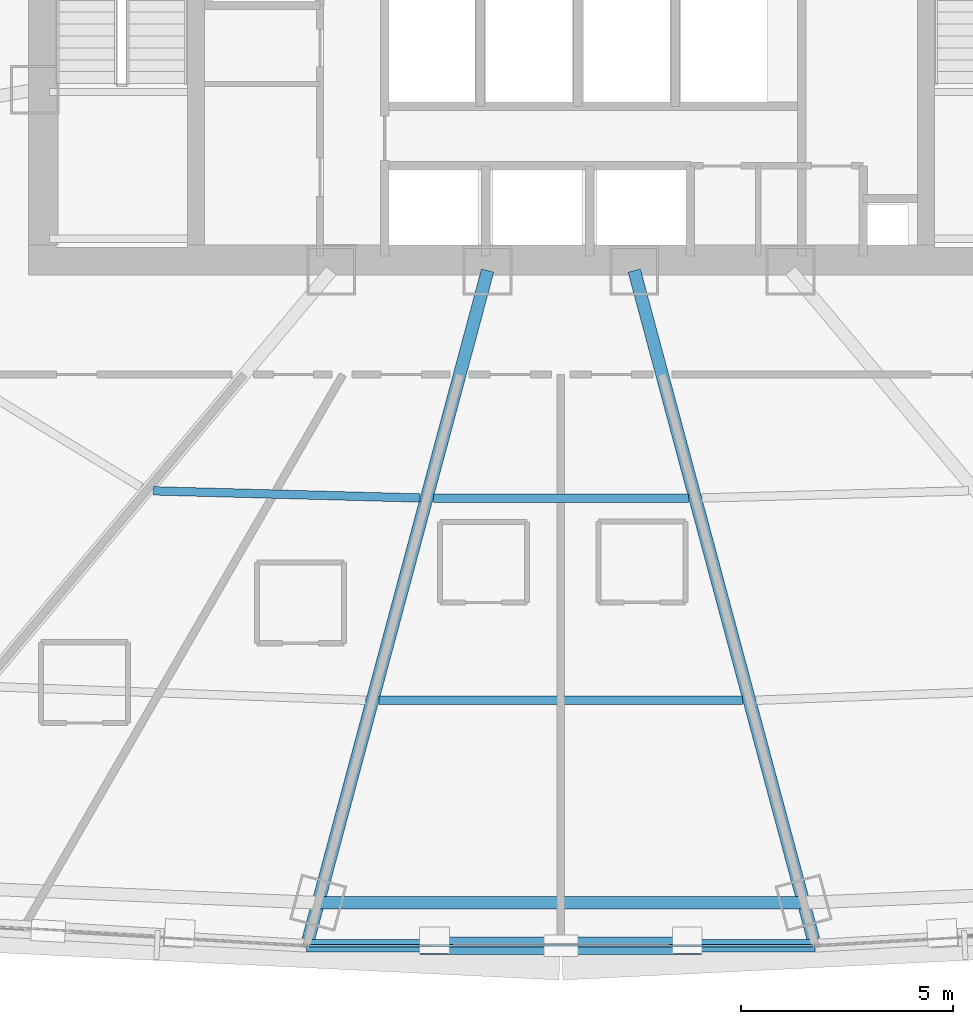
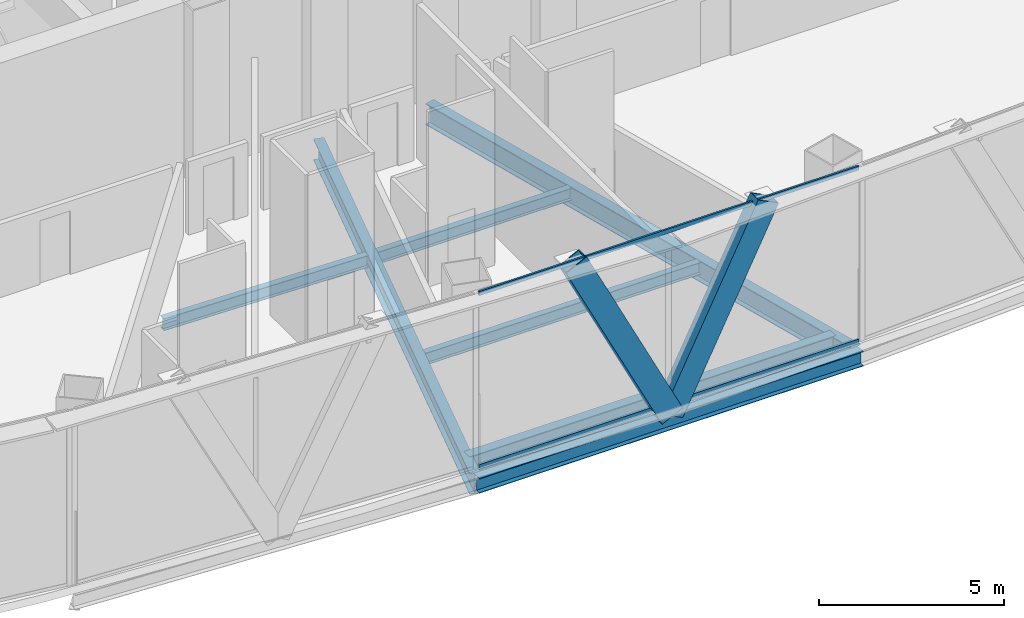
# One storey, part 9 of 41: 7 beams, 4 members, 1 element without a shape of its own.
"""IFC4 building model written with IfcOpenShell, lengths in metres."""

from ifc_helpers import new_model, si_unit, direction, frame, origin, origin_2d, place, context, subcontext, project, spatial, hollow_rectangle, i_section, extrude, source, transform, mapped, material, layer, layer_set, material_profile, profile_set, type_object, element, aggregate, save


model = new_model("IFC4")

# Units and contexts
model_context = context("Model", 3, precision=1e-05, world=origin(), true_north=direction((0.0, 1.0)))
body_context = subcontext(model_context, "Body", "Model", "MODEL_VIEW")
ifc_project = project(units=[si_unit("LENGTHUNIT", "METRE"), si_unit("AREAUNIT", "SQUARE_METRE"), si_unit("VOLUMEUNIT", "CUBIC_METRE"), si_unit("PLANEANGLEUNIT", "RADIAN"), si_unit("MASSUNIT", "GRAM", prefix="KILO"), si_unit("THERMODYNAMICTEMPERATUREUNIT", "KELVIN"), si_unit("POWERUNIT", "WATT")], contexts=[model_context])

# Site, building, storey
site_placement = place(None, origin())
site = spatial("IfcSite", under=ifc_project, at=site_placement, CompositionType="ELEMENT")
building_placement = place(site_placement, origin())
building = spatial("IfcBuilding", under=site, at=building_placement, Name="Yunzhuo Pagoda Commons", CompositionType="ELEMENT")
storey_placement = place(building_placement, frame((0.0, 0.0, 70.330078125)))
storey = spatial("IfcBuildingStorey", under=building, at=storey_placement, Name="L18", CompositionType="ELEMENT", Elevation=70.330078125)

# Beams
ifc_material_1 = material(Name="Structural steel Q355B", Category="steel")
ifc_material_profile_1 = material_profile(ifc_material_1, i_section(OverallWidth=0.300048828125, OverallDepth=0.699951171875, WebThickness=0.012939453125, FlangeThickness=0.02392578125, at=origin_2d()), Name="Structural steel Q355B")
ifc_profile_set_1 = profile_set([ifc_material_profile_1], Name="Structural steel Q355B")
beam_type_1 = type_object("IfcBeamType", Name="B-RG1 Beam HN 700x300x13x24", PredefinedType="BEAM", material=ifc_profile_set_1)
shared_shape_1 = source(origin(), body_context, "Body", "SweptSolid", [
    extrude(i_section(OverallWidth=0.300048828125, OverallDepth=0.699951171875, WebThickness=0.012939453125, FlangeThickness=0.02392578125, at=origin_2d()), origin(), (0.0, 0.0, 1.0), 11.4404296875),
])
beam_1_placement = place(storey_placement, frame((42.27978515625, 12.35205078125, -0.610107421875), z_axis=(1.0, 0.0, 0.0), x_axis=(0.0, 1.0, 0.0)))
element("IfcBeam", 1, at=beam_1_placement, inside=storey, type_object=beam_type_1, Name="L18 column-ring beam 2", PredefinedType="BEAM", context=body_context, shape_type="MappedRepresentation", body=[
    mapped(shared_shape_1, transform((0.0, 0.0, 0.0), scale=1.0)),
])
ifc_material_profile_2 = material_profile(ifc_material_1, i_section(OverallWidth=0.199951171875, OverallDepth=0.39990234375, WebThickness=0.008056640625, FlangeThickness=0.012939453125, at=origin_2d()), Name="Structural steel Q355B")
ifc_profile_set_2 = profile_set([ifc_material_profile_2], Name="Structural steel Q355B")
beam_type_2 = type_object("IfcBeamType", Name="B-JS1 Joist HN 400x200x8x13", PredefinedType="JOIST", material=ifc_profile_set_2)
shared_shape_2 = source(origin(), body_context, "Body", "SweptSolid", [
    extrude(i_section(OverallWidth=0.199951171875, OverallDepth=0.39990234375, WebThickness=0.008056640625, FlangeThickness=0.012939453125, at=origin_2d()), origin(), (0.0, 0.0, 1.0), 6.28271484375),
])
beam_2_placement = place(storey_placement, frame((38.395263671875, 22.06005859375, -0.4599609375), z_axis=(0.999638393847, -0.026890175648, 0.0), x_axis=(0.026890175648, 0.999638393847, 0.0)))
element("IfcBeam", 2, at=beam_2_placement, inside=storey, type_object=beam_type_2, Name="L18 composite ring joist 1.1", PredefinedType="JOIST", context=body_context, shape_type="MappedRepresentation", body=[
    mapped(shared_shape_2, transform((0.0, 0.0, 0.0), scale=1.0)),
])
shared_shape_3 = source(origin(), body_context, "Body", "SweptSolid", [
    extrude(i_section(OverallWidth=0.199951171875, OverallDepth=0.39990234375, WebThickness=0.008056640625, FlangeThickness=0.012939453125, at=origin_2d()), origin(), (0.0, 0.0, 1.0), 6.0126953125),
])
beam_3_placement = place(storey_placement, frame((44.99365234375, 21.88671875, -0.4599609375), z_axis=(1.0, 0.0, 0.0), x_axis=(0.0, 1.0, 0.0)))
element("IfcBeam", 3, at=beam_3_placement, inside=storey, type_object=beam_type_2, Name="L18 composite ring joist 1.2", PredefinedType="JOIST", context=body_context, shape_type="MappedRepresentation", body=[
    mapped(shared_shape_3, transform((0.0, 0.0, 0.0), scale=1.0)),
])
shared_shape_4 = source(origin(), body_context, "Body", "SweptSolid", [
    extrude(i_section(OverallWidth=0.199951171875, OverallDepth=0.39990234375, WebThickness=0.008056640625, FlangeThickness=0.012939453125, at=origin_2d()), origin(), (0.0, 0.0, 1.0), 8.5673828125),
])
beam_4_placement = place(storey_placement, frame((43.71630859375, 17.119384765625, -0.4599609375), z_axis=(1.0, 0.0, 0.0), x_axis=(0.0, 1.0, 0.0)))
element("IfcBeam", 4, at=beam_4_placement, inside=storey, type_object=beam_type_2, Name="L18 composite ring joist 2.2", PredefinedType="JOIST", context=body_context, shape_type="MappedRepresentation", body=[
    mapped(shared_shape_4, transform((0.0, 0.0, 0.0), scale=1.0)),
])
shared_shape_5 = source(origin(), body_context, "Body", "SweptSolid", [
    extrude(i_section(OverallWidth=0.300048828125, OverallDepth=0.699951171875, WebThickness=0.012939453125, FlangeThickness=0.02392578125, at=origin_2d()), origin(), (0.0, 0.0, 1.0), 16.318603515625),
])
beam_5_placement = place(storey_placement, frame((42.048095703125, 11.487548828125, -0.610107421875), z_axis=(0.258838535444, 0.965920603657, 0.0), x_axis=(-0.965920603657, 0.258838535444, 0.0)))
element("IfcBeam", 5, at=beam_5_placement, inside=storey, type_object=beam_type_1, Name="L18 radial floor girder F1C2", PredefinedType="BEAM", context=body_context, shape_type="MappedRepresentation", body=[
    mapped(shared_shape_5, transform((0.0, 0.0, 0.0), scale=1.0)),
])
shared_shape_6 = source(origin(), body_context, "Body", "SweptSolid", [
    extrude(i_section(OverallWidth=0.300048828125, OverallDepth=0.699951171875, WebThickness=0.012939453125, FlangeThickness=0.02392578125, at=origin_2d()), origin(), (0.0, 0.0, 1.0), 16.318359375),
])
beam_6_placement = place(storey_placement, frame((53.951904296875, 11.487548828125, -0.610107421875), z_axis=(-0.258810618002, 0.965928084285, 0.0), x_axis=(-0.965928084285, -0.258810618002, 0.0)))
element("IfcBeam", 6, at=beam_6_placement, inside=storey, type_object=beam_type_1, Name="L18 radial floor girder F1C3", PredefinedType="BEAM", context=body_context, shape_type="MappedRepresentation", body=[
    mapped(shared_shape_6, transform((0.0, 0.0, 0.0), scale=1.0)),
])
ifc_material_profile_3 = material_profile(ifc_material_1, i_section(OverallWidth=0.300048828125, OverallDepth=0.488037109375, WebThickness=0.010986328125, FlangeThickness=0.01806640625, at=origin_2d()), Name="Structural steel Q355B")
ifc_profile_set_3 = profile_set([ifc_material_profile_3], Name="Structural steel Q355B")
beam_type_3 = type_object("IfcBeamType", Name="B-SP1 Beam HM 488x300x11x18", PredefinedType="BEAM", material=ifc_profile_set_3)
shared_shape_7 = source(origin(), body_context, "Body", "SweptSolid", [
    extrude(i_section(OverallWidth=0.300048828125, OverallDepth=0.488037109375, WebThickness=0.010986328125, FlangeThickness=0.01806640625, at=origin_2d()), origin(), (0.0, 0.0, 1.0), 11.98388671875),
])
beam_7_placement = place(storey_placement, frame((42.008056640625, 11.337890625, -0.504150390625), z_axis=(1.0, 0.0, 0.0), x_axis=(0.0, 1.0, 0.0)))
element("IfcBeam", 7, at=beam_7_placement, inside=storey, type_object=beam_type_3, Name="L18 facade edge spandrel beam F1.2", PredefinedType="BEAM", context=body_context, shape_type="MappedRepresentation", body=[
    mapped(shared_shape_7, transform((0.0, 0.0, 0.0), scale=1.0)),
])

# Members
ifc_material_2 = material(Name="Structural steel Q420B", Category="steel")
ifc_material_profile_4 = material_profile(ifc_material_2, hollow_rectangle(XDim=0.419921875, YDim=0.719970703125, WallThickness=0.028076171875, at=origin_2d()), Name="Structural steel Q420B")
ifc_profile_set_4 = profile_set([ifc_material_profile_4], Name="Structural steel Q420B")
member_type_1 = type_object("IfcMemberType", Name="M-DL1 Brace BOX 720x420x28", PredefinedType="BRACE", material=ifc_profile_set_4)
shared_shape_8 = source(origin(), body_context, "Body", "SweptSolid", [
    extrude(hollow_rectangle(XDim=0.419921875, YDim=0.719970703125, WallThickness=0.028076171875, at=origin_2d()), origin(), (0.0, 0.0, 1.0), 6.7333984375),
])
for number, where, z_axis, x_axis, name in (
    (8, (48.0, 11.337890625, -0.260009765625), (-0.444964156752, 0.0, 0.895548379043), (0.0, -1.0, 0.0), "L18 facade diamond brace F1.2L"),
    (9, (48.0, 11.337890625, -0.260009765625), (0.444964156752, 0.0, 0.895548379043), (0.0, 1.0, 0.0), "L18 facade diamond brace F1.2R"),
):
    element("IfcMember", number, at=place(storey_placement, frame(where, z_axis=z_axis, x_axis=x_axis)), inside=storey, type_object=member_type_1, Name=name, PredefinedType="BRACE", context=body_context, shape_type="MappedRepresentation", body=[
        mapped(shared_shape_8, transform((0.0, 0.0, 0.0), scale=1.0)),
    ])

# Curtain wall, members
ifc_material_3 = material(Name="Anodized aluminium 6063-T6", Category="aluminium")
ifc_layer = layer(ifc_material_3, 0.1650390625)
ifc_layer_set = layer_set([ifc_layer], Name="Anodized aluminium 6063-T6")
curtain_wall_type = type_object("IfcCurtainWallType", Name="CW-LOW Low-Zone Ribbon Curtain Wall", PredefinedType="NOTDEFINED", material=ifc_layer_set)
curtain_wall_placement = place(storey_placement, origin())
curtain_wall = element("IfcCurtainWall", 10, at=curtain_wall_placement, inside=storey, type_object=curtain_wall_type, Name="L18 curtain wall CW-L18-F1B3", PredefinedType="NOTDEFINED")
ifc_material_profile_5 = material_profile(ifc_material_3, hollow_rectangle(XDim=0.06005859375, YDim=0.139892578125, WallThickness=0.00341796875, at=origin_2d()), Name="Anodized aluminium 6063-T6")
ifc_profile_set_5 = profile_set([ifc_material_profile_5], Name="Anodized aluminium 6063-T6")
member_type_2 = type_object("IfcMemberType", Name="CW-LOW-T Transom RHS 140x60x3.5", PredefinedType="USERDEFINED", material=ifc_profile_set_5)
shared_shape_9 = source(origin(), body_context, "Body", "SweptSolid", [
    extrude(hollow_rectangle(XDim=0.06005859375, YDim=0.139892578125, WallThickness=0.00341796875, at=origin_2d()), origin(), (0.0, 0.0, 1.0), 11.85400390625),
])
member_1_placement = place(storey_placement, frame((42.072998046875, 11.337890625, 0.030029296875), z_axis=(1.0, 0.0, 0.0), x_axis=(0.0, 1.0, 0.0)))
member_1 = element("IfcMember", 11, at=member_1_placement, type_object=member_type_2, Name="CW transom 1.1", ObjectType="TRANSOM", PredefinedType="USERDEFINED", context=body_context, shape_type="MappedRepresentation", body=[
    mapped(shared_shape_9, transform((0.0, 0.0, 0.0), scale=1.0)),
])
member_2_placement = place(storey_placement, frame((42.072998046875, 11.337890625, 5.739990234375), z_axis=(1.0, 0.0, 0.0), x_axis=(0.0, 1.0, 0.0)))
member_2 = element("IfcMember", 12, at=member_2_placement, type_object=member_type_2, Name="CW transom 1.2", ObjectType="TRANSOM", PredefinedType="USERDEFINED", context=body_context, shape_type="MappedRepresentation", body=[
    mapped(shared_shape_9, transform((0.0, 0.0, 0.0), scale=1.0)),
])
aggregate(curtain_wall, [member_1, member_2])

save(model, "model.ifc")
